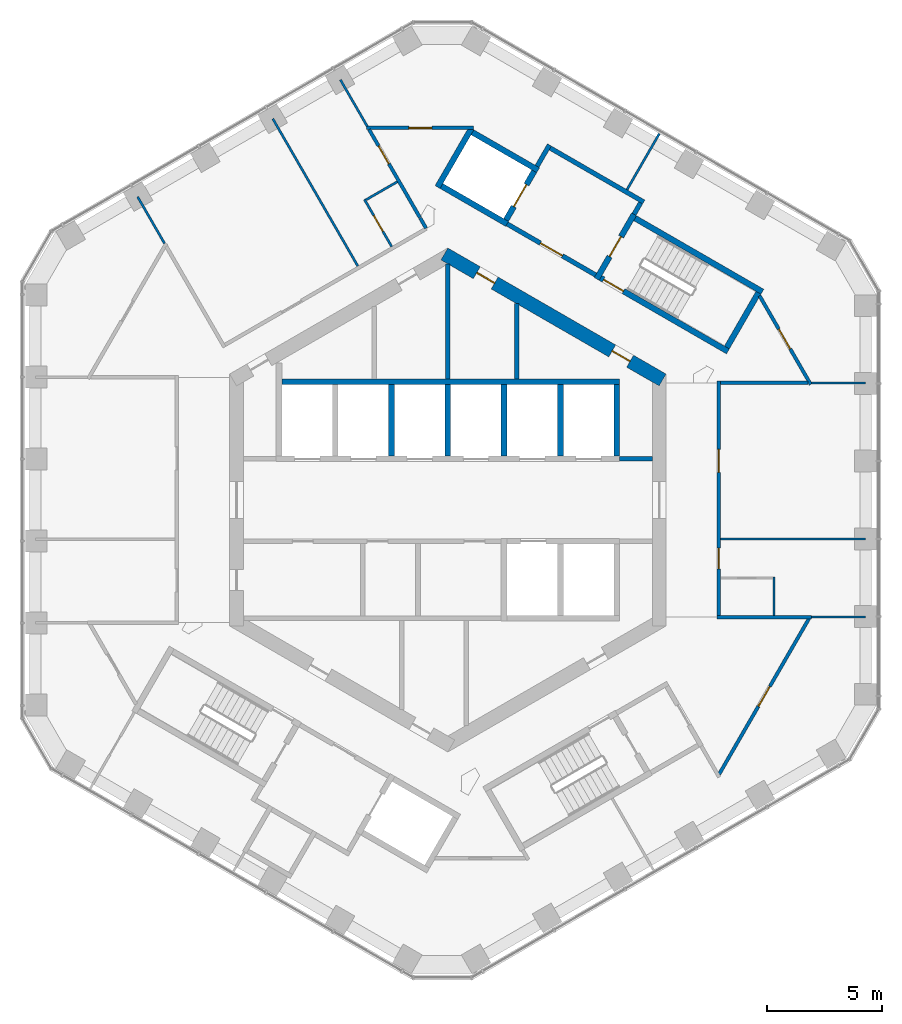
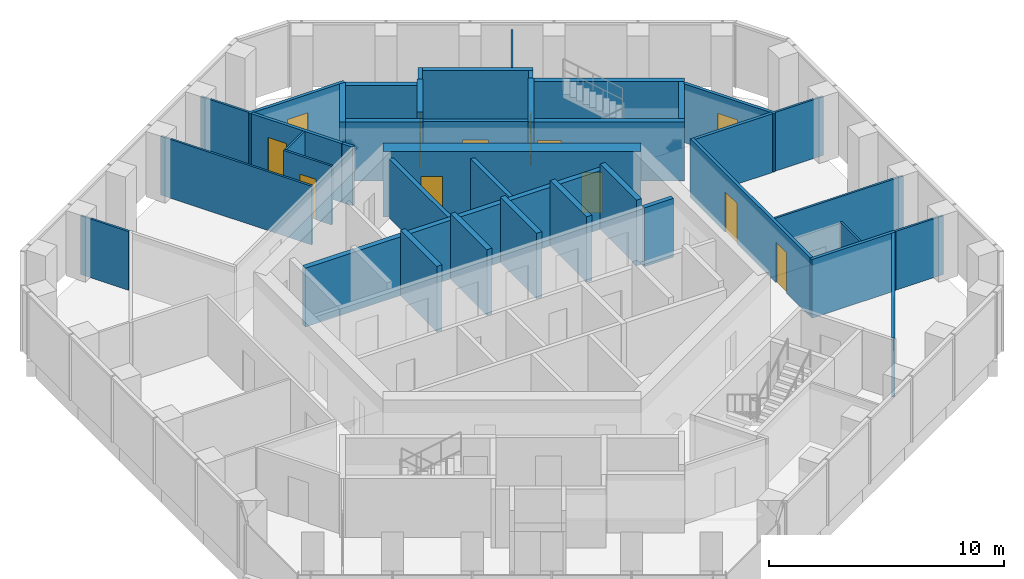
# One storey, part 16 of 18: 40 walls, 13 doors, 13 openings.
"""IFC4 building model written with IfcOpenShell, lengths in metres."""

from ifc_helpers import new_model, si_unit, direction, frame, frame_2d, origin, place, context, subcontext, project, spatial, rectangle, extrude, material, layer, layer_set, type_object, element, fill, save


model = new_model("IFC4")

# Units and contexts
model_context = context("Model", 3, precision=1e-05, world=origin(), true_north=direction((0.0, 1.0)))
body_context = subcontext(model_context, "Body", "Model", "MODEL_VIEW")
ifc_project = project(units=[si_unit("LENGTHUNIT", "METRE"), si_unit("AREAUNIT", "SQUARE_METRE"), si_unit("VOLUMEUNIT", "CUBIC_METRE"), si_unit("PLANEANGLEUNIT", "RADIAN"), si_unit("MASSUNIT", "GRAM", prefix="KILO")], contexts=[model_context])

# Site, building, storey
site_placement = place(None, origin())
site = spatial("IfcSite", under=ifc_project, at=site_placement, CompositionType="ELEMENT")
building_placement = place(site_placement, origin())
building = spatial("IfcBuilding", under=site, at=building_placement, Name="Ayvan Gate Tower", CompositionType="ELEMENT")
storey_placement = place(building_placement, frame((0.0, 0.0, 166.300048828125)))
storey = spatial("IfcBuildingStorey", under=building, at=storey_placement, Name="L44", CompositionType="ELEMENT", Elevation=166.300048828125)

# Wall, openings, doors
ifc_material_1 = material(Name="Concrete C60/75", Category="concrete")
ifc_layer_1 = layer(ifc_material_1, 0.60009765625)
ifc_layer_set_1 = layer_set([ifc_layer_1], Name="Concrete C60/75")
wall_type_1 = type_object("IfcWallType", Name="Core wall 600 C60/75", PredefinedType="SHEAR", material=ifc_layer_set_1)
wall_1_placement = place(storey_placement, frame((9.35009765625, 5.22509765625, 0.0), z_axis=(0.0, 0.0, 1.0), x_axis=(-0.866023993627, 0.500002442456, 0.0)))
wall_1 = element("IfcWall", 1, at=wall_1_placement, inside=storey, type_object=wall_type_1, Name="CORE-L44-1", PredefinedType="SHEAR", context=body_context, shape_type="SweptSolid", body=[
    extrude(rectangle(XDim=10.9697265625, YDim=0.60009765625, at=frame_2d((5.48486328125, 0.0))), origin(), (0.0, 0.0, 1.0), 3.39990234375),
])
opening_1_placement = place(wall_1_placement, frame((8.44189453125, 0.0, 0.0)))
opening_1 = element("IfcOpeningElement", 2, at=opening_1_placement, cuts=wall_1, Name="Opening L44-D39", PredefinedType="OPENING", context=body_context, shape_type="SweptSolid", body=[
    extrude(rectangle(XDim=0.89990234375, YDim=2.10009765625, at=frame_2d((0.449951171875, 1.050048828125))), frame((0.0, 0.31005859375, 0.0), z_axis=(0.0, -1.0, 0.0), x_axis=(1.0, 0.0, 0.0)), (0.0, 0.0, 1.0), 0.6201171875),
])
opening_2_placement = place(wall_1_placement, frame((1.633544921875, 0.0, 0.0)))
opening_2 = element("IfcOpeningElement", 3, at=opening_2_placement, cuts=wall_1, Name="Opening L44-D40", PredefinedType="OPENING", context=body_context, shape_type="SweptSolid", body=[
    extrude(rectangle(XDim=0.89990234375, YDim=2.10009765625, at=frame_2d((0.449951171875, 1.050048828125))), frame((0.0, 0.31005859375, 0.0), z_axis=(0.0, -1.0, 0.0), x_axis=(1.0, 0.0, 0.0)), (0.0, 0.0, 1.0), 0.6201171875),
])
ifc_material_2 = material(Name="Timber door leaf", Category="wood")
door_type_1 = type_object("IfcDoorType", Name="DT-900", OperationType="NOTDEFINED", PredefinedType="DOOR", material=ifc_material_2)
door_1_placement = place(opening_1_placement, origin())
door_1 = element("IfcDoor", 4, at=door_1_placement, inside=storey, type_object=door_type_1, Name="CD-L44-39", OperationType="SINGLE_SWING_LEFT", OverallHeight=2.10009765625, OverallWidth=0.89990234375, PredefinedType="DOOR", context=body_context, shape_type="SweptSolid", body=[
    extrude(rectangle(XDim=0.89990234375, YDim=2.10009765625, at=frame_2d((0.449951171875, 1.050048828125))), frame((0.0, 0.02490234375, 0.0), z_axis=(0.0, -1.0, 0.0), x_axis=(1.0, 0.0, 0.0)), (0.0, 0.0, 1.0), 0.050048828125),
])
fill(opening_1, door_1)
door_2_placement = place(opening_2_placement, origin())
door_2 = element("IfcDoor", 5, at=door_2_placement, inside=storey, type_object=door_type_1, Name="CD-L44-40", OperationType="SINGLE_SWING_RIGHT", OverallHeight=2.10009765625, OverallWidth=0.89990234375, PredefinedType="DOOR", context=body_context, shape_type="SweptSolid", body=[
    extrude(rectangle(XDim=0.89990234375, YDim=2.10009765625, at=frame_2d((0.449951171875, 1.050048828125))), frame((0.0, 0.02490234375, 0.0), z_axis=(0.0, -1.0, 0.0), x_axis=(1.0, 0.0, 0.0)), (0.0, 0.0, 1.0), 0.050048828125),
])
fill(opening_2, door_2)

# Wall, opening, door
ifc_material_3 = material(Name="Plasterboard on steel stud", Category="steel")
ifc_layer_2 = layer(ifc_material_3, 0.14990234375)
ifc_layer_set_2 = layer_set([ifc_layer_2], Name="Plasterboard on steel stud")
wall_type_2 = type_object("IfcWallType", Name="WT-CORR-150", PredefinedType="PARTITIONING", material=ifc_layer_set_2)
wall_2_placement = place(storey_placement, frame((-3.542724609375, 16.19873046875, 0.0), z_axis=(0.0, 0.0, 1.0), x_axis=(1.0, 0.0, 0.0)))
wall_2 = element("IfcWall", 6, at=wall_2_placement, inside=storey, type_object=wall_type_2, Name="IW-L44-037", PredefinedType="PARTITIONING", context=body_context, shape_type="SweptSolid", body=[
    extrude(rectangle(XDim=4.65625, YDim=0.14990234375, at=frame_2d((2.328125, 0.0))), origin(), (0.0, 0.0, 1.0), 3.050048828125),
])
opening_3_placement = place(wall_2_placement, frame((1.845458984375, 0.0, 0.0)))
opening_3 = element("IfcOpeningElement", 7, at=opening_3_placement, cuts=wall_2, Name="Opening L44-D26", PredefinedType="OPENING", context=body_context, shape_type="SweptSolid", body=[
    extrude(rectangle(XDim=1.0, YDim=2.10009765625, at=frame_2d((0.5, 1.050048828125))), frame((0.0, 0.0849609375, 0.0), z_axis=(0.0, -1.0, 0.0), x_axis=(1.0, 0.0, 0.0)), (0.0, 0.0, 1.0), 0.169921875),
])
door_type_2 = type_object("IfcDoorType", Name="DT-1000", OperationType="NOTDEFINED", PredefinedType="DOOR", material=ifc_material_2)
door_3_placement = place(opening_3_placement, origin())
door_3 = element("IfcDoor", 8, at=door_3_placement, inside=storey, type_object=door_type_2, Name="ID-L44-026", OperationType="SINGLE_SWING_RIGHT", OverallHeight=2.10009765625, OverallWidth=1.0, PredefinedType="DOOR", context=body_context, shape_type="SweptSolid", body=[
    extrude(rectangle(XDim=1.0, YDim=2.10009765625, at=frame_2d((0.5, 1.050048828125))), frame((0.0, 0.02490234375, 0.0), z_axis=(0.0, -1.0, 0.0), x_axis=(1.0, 0.0, 0.0)), (0.0, 0.0, 1.0), 0.050048828125),
])
fill(opening_3, door_3)

wall_3_placement = place(storey_placement, frame((-3.43017578125, 16.1337890625, 0.0), z_axis=(0.0, 0.0, 1.0), x_axis=(0.50000861454, -0.86602043012, 0.0)))
wall_3 = element("IfcWall", 9, at=wall_3_placement, inside=storey, type_object=wall_type_2, Name="IW-L44-043", PredefinedType="PARTITIONING", context=body_context, shape_type="SweptSolid", body=[
    extrude(rectangle(XDim=4.43115234375, YDim=0.14990234375, at=frame_2d((2.215576171875, 0.0))), origin(), (0.0, 0.0, 1.0), 3.050048828125),
])
opening_4_placement = place(wall_3_placement, frame((0.82861328125, 0.0, 0.0)))
opening_4 = element("IfcOpeningElement", 10, at=opening_4_placement, cuts=wall_3, Name="Opening L44-D34", PredefinedType="OPENING", context=body_context, shape_type="SweptSolid", body=[
    extrude(rectangle(XDim=0.89990234375, YDim=2.10009765625, at=frame_2d((0.449951171875, 1.050048828125))), frame((0.0, 0.0849609375, 0.0), z_axis=(0.0, -1.0, 0.0), x_axis=(1.0, 0.0, 0.0)), (0.0, 0.0, 1.0), 0.169921875),
])
door_4_placement = place(opening_4_placement, origin())
door_4 = element("IfcDoor", 11, at=door_4_placement, inside=storey, type_object=door_type_1, Name="ID-L44-034", OperationType="SINGLE_SWING_RIGHT", OverallHeight=2.10009765625, OverallWidth=0.89990234375, PredefinedType="DOOR", context=body_context, shape_type="SweptSolid", body=[
    extrude(rectangle(XDim=0.89990234375, YDim=2.10009765625, at=frame_2d((0.449951171875, 1.050048828125))), frame((0.0, 0.02490234375, 0.0), z_axis=(0.0, -1.0, 0.0), x_axis=(1.0, 0.0, 0.0)), (0.0, 0.0, 1.0), 0.050048828125),
])
fill(opening_4, door_4)

# Walls
wall_4_placement = place(storey_placement, frame((-1.20458984375, 12.279052734375, 0.0), z_axis=(0.0, 0.0, 1.0), x_axis=(0.499749740264, -0.866169843106, 0.0)))
element("IfcWall", 12, at=wall_4_placement, inside=storey, type_object=wall_type_2, Name="IW-L44-046", PredefinedType="PARTITIONING", context=body_context, shape_type="SweptSolid", body=[
    extrude(rectangle(XDim=0.516357421875, YDim=0.14990234375, at=frame_2d((0.25830078125, 0.0))), origin(), (0.0, 0.0, 1.0), 3.050048828125),
])
wall_5_placement = place(storey_placement, frame((11.724853515625, -5.09619140625, 0.0), z_axis=(0.0, 0.0, 1.0), x_axis=(1.0, 0.0, 0.0)))
element("IfcWall", 13, at=wall_5_placement, inside=storey, type_object=wall_type_2, Name="IW-L44-086", PredefinedType="PARTITIONING", context=body_context, shape_type="SweptSolid", body=[
    extrude(rectangle(XDim=4.112548828125, YDim=0.14990234375, at=frame_2d((2.05615234375, 0.0))), origin(), (0.0, 0.0, 1.0), 3.050048828125),
])

# Wall, openings, doors
wall_6_placement = place(storey_placement, frame((11.800048828125, -5.021240234375, 0.0), z_axis=(0.0, 0.0, 1.0), x_axis=(0.0, 1.0, 0.0)))
wall_6 = element("IfcWall", 14, at=wall_6_placement, inside=storey, type_object=wall_type_2, Name="IW-L44-087", PredefinedType="PARTITIONING", context=body_context, shape_type="SweptSolid", body=[
    extrude(rectangle(XDim=10.192626953125, YDim=0.14990234375, at=frame_2d((5.09619140625, 0.0))), origin(), (0.0, 0.0, 1.0), 3.050048828125),
])
opening_5_placement = place(wall_6_placement, frame((2.0224609375, 0.0, 0.0)))
opening_5 = element("IfcOpeningElement", 15, at=opening_5_placement, cuts=wall_6, Name="Opening L44-D22", PredefinedType="OPENING", context=body_context, shape_type="SweptSolid", body=[
    extrude(rectangle(XDim=0.89990234375, YDim=2.10009765625, at=frame_2d((0.449951171875, 1.050048828125))), frame((0.0, 0.0849609375, 0.0), z_axis=(0.0, -1.0, 0.0), x_axis=(1.0, 0.0, 0.0)), (0.0, 0.0, 1.0), 0.169921875),
])
opening_6_placement = place(wall_6_placement, frame((6.22021484375, 0.0, 0.0)))
opening_6 = element("IfcOpeningElement", 16, at=opening_6_placement, cuts=wall_6, Name="Opening L44-D24", PredefinedType="OPENING", context=body_context, shape_type="SweptSolid", body=[
    extrude(rectangle(XDim=1.0, YDim=2.10009765625, at=frame_2d((0.5, 1.050048828125))), frame((0.0, 0.0849609375, 0.0), z_axis=(0.0, -1.0, 0.0), x_axis=(1.0, 0.0, 0.0)), (0.0, 0.0, 1.0), 0.169921875),
])
door_5_placement = place(opening_6_placement, origin())
door_5 = element("IfcDoor", 17, at=door_5_placement, inside=storey, type_object=door_type_2, Name="ID-L44-024", OperationType="SINGLE_SWING_RIGHT", OverallHeight=2.10009765625, OverallWidth=1.0, PredefinedType="DOOR", context=body_context, shape_type="SweptSolid", body=[
    extrude(rectangle(XDim=1.0, YDim=2.10009765625, at=frame_2d((0.5, 1.050048828125))), frame((0.0, 0.02490234375, 0.0), z_axis=(0.0, -1.0, 0.0), x_axis=(1.0, 0.0, 0.0)), (0.0, 0.0, 1.0), 0.050048828125),
])
fill(opening_6, door_5)
door_6_placement = place(opening_5_placement, origin())
door_6 = element("IfcDoor", 18, at=door_6_placement, inside=storey, type_object=door_type_1, Name="ID-L44-022", OperationType="SINGLE_SWING_RIGHT", OverallHeight=2.10009765625, OverallWidth=0.89990234375, PredefinedType="DOOR", context=body_context, shape_type="SweptSolid", body=[
    extrude(rectangle(XDim=0.89990234375, YDim=2.10009765625, at=frame_2d((0.449951171875, 1.050048828125))), frame((0.0, 0.02490234375, 0.0), z_axis=(0.0, -1.0, 0.0), x_axis=(1.0, 0.0, 0.0)), (0.0, 0.0, 1.0), 0.050048828125),
])
fill(opening_5, door_6)

# Wall, opening, door
wall_7_placement = place(storey_placement, frame((13.57177734375, 8.890625, 0.0), z_axis=(0.0, 0.0, 1.0), x_axis=(0.500010146358, -0.866019545703, 0.0)))
wall_7 = element("IfcWall", 19, at=wall_7_placement, inside=storey, type_object=wall_type_2, Name="IW-L44-090", PredefinedType="PARTITIONING", context=body_context, shape_type="SweptSolid", body=[
    extrude(rectangle(XDim=4.45654296875, YDim=0.14990234375, at=frame_2d((2.228271484375, 0.0))), origin(), (0.0, 0.0, 1.0), 3.050048828125),
])
opening_7_placement = place(wall_7_placement, frame((1.67333984375, 0.0, 0.0)))
opening_7 = element("IfcOpeningElement", 20, at=opening_7_placement, cuts=wall_7, Name="Opening L44-D25", PredefinedType="OPENING", context=body_context, shape_type="SweptSolid", body=[
    extrude(rectangle(XDim=1.0, YDim=2.10009765625, at=frame_2d((0.5, 1.050048828125))), frame((0.0, 0.0849609375, 0.0), z_axis=(0.0, -1.0, 0.0), x_axis=(1.0, 0.0, 0.0)), (0.0, 0.0, 1.0), 0.169921875),
])
door_7_placement = place(opening_7_placement, origin())
door_7 = element("IfcDoor", 21, at=door_7_placement, inside=storey, type_object=door_type_2, Name="ID-L44-025", OperationType="SINGLE_SWING_LEFT", OverallHeight=2.10009765625, OverallWidth=1.0, PredefinedType="DOOR", context=body_context, shape_type="SweptSolid", body=[
    extrude(rectangle(XDim=1.0, YDim=2.10009765625, at=frame_2d((0.5, 1.050048828125))), frame((0.0, 0.02490234375, 0.0), z_axis=(0.0, -1.0, 0.0), x_axis=(1.0, 0.0, 0.0)), (0.0, 0.0, 1.0), 0.050048828125),
])
fill(opening_7, door_7)

# Wall
wall_8_placement = place(storey_placement, frame((15.6875, 5.09619140625, 0.0), z_axis=(0.0, 0.0, 1.0), x_axis=(-1.0, 0.0, 0.0)))
element("IfcWall", 22, at=wall_8_placement, inside=storey, type_object=wall_type_2, Name="IW-L44-095", PredefinedType="PARTITIONING", context=body_context, shape_type="SweptSolid", body=[
    extrude(rectangle(XDim=3.8125, YDim=0.14990234375, at=frame_2d((1.90625, 0.0))), origin(), (0.0, 0.0, 1.0), 3.050048828125),
])

# Wall, opening, door
wall_9_placement = place(storey_placement, frame((15.72509765625, -5.161376953125, 0.0), z_axis=(0.0, 0.0, 1.0), x_axis=(-0.500030520673, -0.866007781949, 0.0)))
wall_9 = element("IfcWall", 23, at=wall_9_placement, inside=storey, type_object=wall_type_2, Name="IW-L44-096", PredefinedType="PARTITIONING", context=body_context, shape_type="SweptSolid", body=[
    extrude(rectangle(XDim=7.8203125, YDim=0.14990234375, at=frame_2d((3.91015625, 0.0))), origin(), (0.0, 0.0, 1.0), 3.050048828125),
])
opening_8_placement = place(wall_9_placement, frame((3.41015625, 0.0, 0.0)))
opening_8 = element("IfcOpeningElement", 24, at=opening_8_placement, cuts=wall_9, Name="Opening L44-D33", PredefinedType="OPENING", context=body_context, shape_type="SweptSolid", body=[
    extrude(rectangle(XDim=1.0, YDim=2.10009765625, at=frame_2d((0.5, 1.050048828125))), frame((0.0, 0.0849609375, 0.0), z_axis=(0.0, -1.0, 0.0), x_axis=(1.0, 0.0, 0.0)), (0.0, 0.0, 1.0), 0.169921875),
])
door_8_placement = place(opening_8_placement, origin())
door_8 = element("IfcDoor", 25, at=door_8_placement, inside=storey, type_object=door_type_2, Name="ID-L44-033", OperationType="SINGLE_SWING_LEFT", OverallHeight=2.10009765625, OverallWidth=1.0, PredefinedType="DOOR", context=body_context, shape_type="SweptSolid", body=[
    extrude(rectangle(XDim=1.0, YDim=2.10009765625, at=frame_2d((0.5, 1.050048828125))), frame((0.0, 0.02490234375, 0.0), z_axis=(0.0, -1.0, 0.0), x_axis=(1.0, 0.0, 0.0)), (0.0, 0.0, 1.0), 0.050048828125),
])
fill(opening_8, door_8)

# Walls
ifc_layer_3 = layer(ifc_material_3, 0.10009765625)
ifc_layer_set_3 = layer_set([ifc_layer_3], Name="Plasterboard on steel stud")
wall_type_3 = type_object("IfcWallType", Name="WT-PART-100", PredefinedType="PARTITIONING", material=ifc_layer_set_3)
wall_10_placement = place(storey_placement, frame((-13.5068359375, 13.201904296875, 0.0), z_axis=(0.0, 0.0, 1.0), x_axis=(0.499995339376, -0.86602809458, 0.0)))
element("IfcWall", 26, at=wall_10_placement, inside=storey, type_object=wall_type_3, Name="IW-L44-007", PredefinedType="PARTITIONING", context=body_context, shape_type="SweptSolid", body=[
    extrude(rectangle(XDim=2.34912109375, YDim=0.10009765625, at=frame_2d((1.174560546875, 0.0))), origin(), (0.0, 0.0, 1.0), 3.050048828125),
])
wall_11_placement = place(storey_placement, frame((-3.916259765625, 10.180908203125, 0.0), z_axis=(0.0, 0.0, 1.0), x_axis=(-0.500011399757, 0.866018822032, 0.0)))
element("IfcWall", 27, at=wall_11_placement, inside=storey, type_object=wall_type_3, Name="IW-L44-031", PredefinedType="PARTITIONING", context=body_context, shape_type="SweptSolid", body=[
    extrude(rectangle(XDim=7.411376953125, YDim=0.10009765625, at=frame_2d((3.70556640625, 0.0))), origin(), (0.0, 0.0, 1.0), 3.050048828125),
])

# Wall, opening, door
wall_12_placement = place(storey_placement, frame((-3.631591796875, 13.087646484375, 0.0), z_axis=(0.0, 0.0, 1.0), x_axis=(0.499986429846, -0.866033238375, 0.0)))
wall_12 = element("IfcWall", 28, at=wall_12_placement, inside=storey, type_object=wall_type_3, Name="IW-L44-035", PredefinedType="PARTITIONING", context=body_context, shape_type="SweptSolid", body=[
    extrude(rectangle(XDim=2.375, YDim=0.10009765625, at=frame_2d((1.1875, 0.0))), origin(), (0.0, 0.0, 1.0), 3.050048828125),
])
opening_9_placement = place(wall_12_placement, frame((0.8125, 0.0, 0.0)))
opening_9 = element("IfcOpeningElement", 29, at=opening_9_placement, cuts=wall_12, Name="Opening L44-D35", PredefinedType="OPENING", context=body_context, shape_type="SweptSolid", body=[
    extrude(rectangle(XDim=0.800048828125, YDim=2.10009765625, at=frame_2d((0.39990234375, 1.050048828125))), frame((0.0, 0.06005859375, 0.0), z_axis=(0.0, -1.0, 0.0), x_axis=(1.0, 0.0, 0.0)), (0.0, 0.0, 1.0), 0.1201171875),
])
door_type_3 = type_object("IfcDoorType", Name="DT-800", OperationType="NOTDEFINED", PredefinedType="DOOR", material=ifc_material_2)
door_9_placement = place(opening_9_placement, origin())
door_9 = element("IfcDoor", 30, at=door_9_placement, inside=storey, type_object=door_type_3, Name="ID-L44-035", OperationType="SINGLE_SWING_LEFT", OverallHeight=2.10009765625, OverallWidth=0.800048828125, PredefinedType="DOOR", context=body_context, shape_type="SweptSolid", body=[
    extrude(rectangle(XDim=0.800048828125, YDim=2.10009765625, at=frame_2d((0.39990234375, 1.050048828125))), frame((0.0, 0.02490234375, 0.0), z_axis=(0.0, -1.0, 0.0), x_axis=(1.0, 0.0, 0.0)), (0.0, 0.0, 1.0), 0.050048828125),
])
fill(opening_9, door_9)

# Walls
wall_13_placement = place(storey_placement, frame((-3.505126953125, 16.263916015625, 0.0), z_axis=(0.0, 0.0, 1.0), x_axis=(-0.500040344412, 0.866002109674, 0.0)))
element("IfcWall", 31, at=wall_13_placement, inside=storey, type_object=wall_type_3, Name="IW-L44-036", PredefinedType="PARTITIONING", context=body_context, shape_type="SweptSolid", body=[
    extrude(rectangle(XDim=2.348876953125, YDim=0.10009765625, at=frame_2d((1.17431640625, 0.0))), origin(), (0.0, 0.0, 1.0), 3.050048828125),
])
wall_14_placement = place(storey_placement, frame((-2.201416015625, 13.855712890625, 0.0), z_axis=(0.0, 0.0, 1.0), x_axis=(-0.865989086347, -0.500062898373, 0.0)))
element("IfcWall", 32, at=wall_14_placement, inside=storey, type_object=wall_type_3, Name="IW-L44-042", PredefinedType="PARTITIONING", context=body_context, shape_type="SweptSolid", body=[
    extrude(rectangle(XDim=1.572509765625, YDim=0.10009765625, at=frame_2d((0.7861328125, 0.0))), origin(), (0.0, 0.0, 1.0), 3.050048828125),
])
wall_15_placement = place(storey_placement, frame((7.800048828125, 13.510009765625, 0.0), z_axis=(0.0, 0.0, 1.0), x_axis=(0.500012199891, 0.86601836006, 0.0)))
element("IfcWall", 33, at=wall_15_placement, inside=storey, type_object=wall_type_3, Name="IW-L44-079", PredefinedType="PARTITIONING", context=body_context, shape_type="SweptSolid", body=[
    extrude(rectangle(XDim=2.8203125, YDim=0.10009765625, at=frame_2d((1.41015625, 0.0))), origin(), (0.0, 0.0, 1.0), 3.050048828125),
])
wall_16_placement = place(storey_placement, frame((11.875, -1.69873046875, 0.0), z_axis=(0.0, 0.0, 1.0), x_axis=(1.0, 0.0, 0.0)))
element("IfcWall", 34, at=wall_16_placement, inside=storey, type_object=wall_type_3, Name="IW-L44-088", PredefinedType="PARTITIONING", context=body_context, shape_type="SweptSolid", body=[
    extrude(rectangle(XDim=6.3115234375, YDim=0.10009765625, at=frame_2d((3.15576171875, 0.0))), origin(), (0.0, 0.0, 1.0), 3.050048828125),
])
wall_17_placement = place(storey_placement, frame((14.199951171875, -5.021240234375, 0.0), z_axis=(0.0, 0.0, 1.0), x_axis=(0.0, 1.0, 0.0)))
element("IfcWall", 35, at=wall_17_placement, inside=storey, type_object=wall_type_3, Name="IW-L44-092", PredefinedType="PARTITIONING", context=body_context, shape_type="SweptSolid", body=[
    extrude(rectangle(XDim=1.67236328125, YDim=0.10009765625, at=frame_2d((0.836181640625, 0.0))), origin(), (0.0, 0.0, 1.0), 3.050048828125),
])
for number, where, z_axis, x_axis, name in (
    (36, (15.83740234375, 5.09619140625, 0.0), (0.0, 0.0, 1.0), (1.0, 0.0, 0.0), "IW-L44-094"),
    (37, (18.1865234375, -5.09619140625, 0.0), (0.0, 0.0, 1.0), (-1.0, 0.0, 0.0), "IW-L44-097"),
):
    element("IfcWall", number, at=place(storey_placement, frame(where, z_axis=z_axis, x_axis=x_axis)), inside=storey, type_object=wall_type_3, Name=name, PredefinedType="PARTITIONING", context=body_context, shape_type="SweptSolid", body=[
        extrude(rectangle(XDim=2.34912109375, YDim=0.10009765625, at=frame_2d((1.174560546875, 0.0))), origin(), (0.0, 0.0, 1.0), 3.050048828125),
    ])
ifc_layer_4 = layer(ifc_material_3, 0.199951171875)
ifc_layer_set_4 = layer_set([ifc_layer_4], Name="Plasterboard on steel stud")
wall_type_4 = type_object("IfcWallType", Name="WT-RATED-200", PredefinedType="PARTITIONING", material=ifc_layer_set_4)
wall_18_placement = place(storey_placement, frame((0.0, 10.27685546875, 0.0), z_axis=(0.0, 0.0, 1.0), x_axis=(0.0, -1.0, 0.0)))
element("IfcWall", 38, at=wall_18_placement, inside=storey, type_object=wall_type_4, Name="IW-L44-051", PredefinedType="PARTITIONING", context=body_context, shape_type="SweptSolid", body=[
    extrude(rectangle(XDim=5.001953125, YDim=0.199951171875, at=frame_2d((2.5009765625, 0.0))), origin(), (0.0, 0.0, 1.0), 3.050048828125),
])
wall_19_placement = place(storey_placement, frame((3.0, 8.544921875, 0.0), z_axis=(0.0, 0.0, 1.0), x_axis=(0.0, -1.0, 0.0)))
element("IfcWall", 39, at=wall_19_placement, inside=storey, type_object=wall_type_4, Name="IW-L44-060", PredefinedType="PARTITIONING", context=body_context, shape_type="SweptSolid", body=[
    extrude(rectangle(XDim=3.27001953125, YDim=0.199951171875, at=frame_2d((1.635009765625, 0.0))), origin(), (0.0, 0.0, 1.0), 3.050048828125),
])
wall_20_placement = place(storey_placement, frame((3.885009765625, 14.52880859375, 0.0), z_axis=(0.0, 0.0, 1.0), x_axis=(0.499997628298, 0.866026773083, 0.0)))
element("IfcWall", 40, at=wall_20_placement, inside=storey, type_object=wall_type_4, Name="IW-L44-064", PredefinedType="PARTITIONING", context=body_context, shape_type="SweptSolid", body=[
    extrude(rectangle(XDim=1.0751953125, YDim=0.199951171875, at=frame_2d((0.53759765625, 0.0))), origin(), (0.0, 0.0, 1.0), 3.050048828125),
])
wall_21_placement = place(storey_placement, frame((4.458984375, 15.323486328125, 0.0), z_axis=(0.0, 0.0, 1.0), x_axis=(0.866016039709, -0.500016218704, 0.0)))
element("IfcWall", 41, at=wall_21_placement, inside=storey, type_object=wall_type_4, Name="IW-L44-065", PredefinedType="PARTITIONING", context=body_context, shape_type="SweptSolid", body=[
    extrude(rectangle(XDim=4.699951171875, YDim=0.199951171875, at=frame_2d((2.35009765625, 0.0))), origin(), (0.0, 0.0, 1.0), 3.050048828125),
])

# Wall, opening, door
wall_22_placement = place(storey_placement, frame((6.4345703125, 9.794921875, 0.0), z_axis=(0.0, 0.0, 1.0), x_axis=(-0.866012907634, 0.500021643343, 0.0)))
wall_22 = element("IfcWall", 42, at=wall_22_placement, inside=storey, type_object=wall_type_4, Name="IW-L44-070", PredefinedType="PARTITIONING", context=body_context, shape_type="SweptSolid", body=[
    extrude(rectangle(XDim=4.449951171875, YDim=0.199951171875, at=frame_2d((2.22509765625, 0.0))), origin(), (0.0, 0.0, 1.0), 3.050048828125),
])
opening_10_placement = place(wall_22_placement, frame((1.675048828125, 0.0, 0.0)))
opening_10 = element("IfcOpeningElement", 43, at=opening_10_placement, cuts=wall_22, Name="Opening L44-D13", PredefinedType="OPENING", context=body_context, shape_type="SweptSolid", body=[
    extrude(rectangle(XDim=1.10009765625, YDim=2.10009765625, at=frame_2d((0.550048828125, 1.050048828125))), frame((0.0, 0.10986328125, 0.0), z_axis=(0.0, -1.0, 0.0), x_axis=(1.0, 0.0, 0.0)), (0.0, 0.0, 1.0), 0.219970703125),
])
door_type_4 = type_object("IfcDoorType", Name="DT-1100", OperationType="NOTDEFINED", PredefinedType="DOOR", material=ifc_material_2)
door_10_placement = place(opening_10_placement, origin())
door_10 = element("IfcDoor", 44, at=door_10_placement, inside=storey, type_object=door_type_4, Name="ID-L44-013", OperationType="SINGLE_SWING_LEFT", OverallHeight=2.10009765625, OverallWidth=1.10009765625, PredefinedType="DOOR", context=body_context, shape_type="SweptSolid", body=[
    extrude(rectangle(XDim=1.10009765625, YDim=2.10009765625, at=frame_2d((0.550048828125, 1.050048828125))), frame((0.0, 0.02490234375, 0.0), z_axis=(0.0, -1.0, 0.0), x_axis=(1.0, 0.0, 0.0)), (0.0, 0.0, 1.0), 0.050048828125),
])
fill(opening_10, door_10)

# Walls
wall_23_placement = place(storey_placement, frame((7.474853515625, 1.800048828125, 0.0), z_axis=(0.0, 0.0, 1.0), x_axis=(1.0, 0.0, 0.0)))
element("IfcWall", 45, at=wall_23_placement, inside=storey, type_object=wall_type_4, Name="IW-L44-076", PredefinedType="PARTITIONING", context=body_context, shape_type="SweptSolid", body=[
    extrude(rectangle(XDim=1.425048828125, YDim=0.199951171875, at=frame_2d((0.71240234375, 0.0))), origin(), (0.0, 0.0, 1.0), 3.050048828125),
])
wall_24_placement = place(storey_placement, frame((8.392822265625, 12.936767578125, 0.0), z_axis=(0.0, 0.0, 1.0), x_axis=(-0.500065409566, -0.86598763626, 0.0)))
element("IfcWall", 46, at=wall_24_placement, inside=storey, type_object=wall_type_4, Name="IW-L44-081", PredefinedType="PARTITIONING", context=body_context, shape_type="SweptSolid", body=[
    extrude(rectangle(XDim=0.5751953125, YDim=0.199951171875, at=frame_2d((0.28759765625, 0.0))), origin(), (0.0, 0.0, 1.0), 3.050048828125),
])
ifc_material_4 = material(Name="Concrete C50/60", Category="concrete")
ifc_layer_5 = layer(ifc_material_4, 0.25)
ifc_layer_set_5 = layer_set([ifc_layer_5], Name="Concrete C50/60")
wall_type_5 = type_object("IfcWallType", Name="WT-RC-250", PredefinedType="SHEAR", material=ifc_layer_set_5)
wall_25_placement = place(storey_placement, frame((-7.22509765625, 5.14990234375, 0.0), z_axis=(0.0, 0.0, 1.0), x_axis=(1.0, 0.0, 0.0)))
element("IfcWall", 47, at=wall_25_placement, inside=storey, type_object=wall_type_5, Name="IW-L44-023", PredefinedType="SHEAR", context=body_context, shape_type="SweptSolid", body=[
    extrude(rectangle(XDim=14.7001953125, YDim=0.25, at=frame_2d((7.35009765625, 0.0))), origin(), (0.0, 0.0, 1.0), 3.050048828125),
])
wall_26_placement = place(storey_placement, frame((-2.449951171875, 5.02490234375, 0.0), z_axis=(0.0, 0.0, 1.0), x_axis=(0.0, -1.0, 0.0)))
element("IfcWall", 48, at=wall_26_placement, inside=storey, type_object=wall_type_5, Name="IW-L44-041", PredefinedType="SHEAR", context=body_context, shape_type="SweptSolid", body=[
    extrude(rectangle(XDim=3.099853515625, YDim=0.25, at=frame_2d((1.5498046875, 0.0))), origin(), (0.0, 0.0, 1.0), 3.39990234375),
])
wall_27_placement = place(storey_placement, frame((-0.447998046875, 13.624267578125, 0.0), z_axis=(0.0, 0.0, 1.0), x_axis=(0.500037662692, 0.866003658127, 0.0)))
element("IfcWall", 49, at=wall_27_placement, inside=storey, type_object=wall_type_5, Name="IW-L44-049", PredefinedType="SHEAR", context=body_context, shape_type="SweptSolid", body=[
    extrude(rectangle(XDim=2.949951171875, YDim=0.25, at=frame_2d((1.47509765625, 0.0))), origin(), (0.0, 0.0, 1.0), 3.050048828125),
])
wall_28_placement = place(storey_placement, frame((0.0, 5.02490234375, 0.0), z_axis=(0.0, 0.0, 1.0), x_axis=(0.0, -1.0, 0.0)))
element("IfcWall", 50, at=wall_28_placement, inside=storey, type_object=wall_type_5, Name="IW-L44-050", PredefinedType="SHEAR", context=body_context, shape_type="SweptSolid", body=[
    extrude(rectangle(XDim=3.099853515625, YDim=0.25, at=frame_2d((1.5498046875, 0.0))), origin(), (0.0, 0.0, 1.0), 3.39990234375),
])
wall_29_placement = place(storey_placement, frame((1.072998046875, 16.00830078125, 0.0), z_axis=(0.0, 0.0, 1.0), x_axis=(0.866040211805, -0.499974350878, 0.0)))
element("IfcWall", 51, at=wall_29_placement, inside=storey, type_object=wall_type_5, Name="IW-L44-053", PredefinedType="SHEAR", context=body_context, shape_type="SweptSolid", body=[
    extrude(rectangle(XDim=3.300048828125, YDim=0.25, at=frame_2d((1.64990234375, 0.0))), origin(), (0.0, 0.0, 1.0), 3.050048828125),
])
wall_30_placement = place(storey_placement, frame((2.449951171875, 5.02490234375, 0.0), z_axis=(0.0, 0.0, 1.0), x_axis=(0.0, -1.0, 0.0)))
element("IfcWall", 52, at=wall_30_placement, inside=storey, type_object=wall_type_5, Name="IW-L44-057", PredefinedType="SHEAR", context=body_context, shape_type="SweptSolid", body=[
    extrude(rectangle(XDim=3.099853515625, YDim=0.25, at=frame_2d((1.5498046875, 0.0))), origin(), (0.0, 0.0, 1.0), 3.39990234375),
])
wall_31_placement = place(storey_placement, frame((2.580810546875, 12.02001953125, 0.0), z_axis=(0.0, 0.0, 1.0), x_axis=(-0.866040211805, 0.499974350878, 0.0)))
element("IfcWall", 53, at=wall_31_placement, inside=storey, type_object=wall_type_5, Name="IW-L44-058", PredefinedType="SHEAR", context=body_context, shape_type="SweptSolid", body=[
    extrude(rectangle(XDim=3.300048828125, YDim=0.25, at=frame_2d((1.64990234375, 0.0))), origin(), (0.0, 0.0, 1.0), 3.050048828125),
])

# Wall, opening, door
wall_32_placement = place(storey_placement, frame((2.534912109375, 12.19091796875, 0.0), z_axis=(0.0, 0.0, 1.0), x_axis=(0.500061746146, 0.865989751695, 0.0)))
wall_32 = element("IfcWall", 54, at=wall_32_placement, inside=storey, type_object=wall_type_5, Name="IW-L44-059", PredefinedType="SHEAR", context=body_context, shape_type="SweptSolid", body=[
    extrude(rectangle(XDim=2.449951171875, YDim=0.25, at=frame_2d((1.22509765625, 0.0))), origin(), (0.0, 0.0, 1.0), 3.39990234375),
])
opening_11_placement = place(wall_32_placement, frame((0.675048828125, 0.0, 0.0)))
opening_11 = element("IfcOpeningElement", 55, at=opening_11_placement, cuts=wall_32, Name="Opening L44-LD-FF1", PredefinedType="OPENING", context=body_context, shape_type="SweptSolid", body=[
    extrude(rectangle(XDim=1.10009765625, YDim=2.10009765625, at=frame_2d((0.550048828125, 1.050048828125))), frame((0.0, 0.135009765625, 0.0), z_axis=(0.0, -1.0, 0.0), x_axis=(1.0, 0.0, 0.0)), (0.0, 0.0, 1.0), 0.27001953125),
])
ifc_material_5 = material(Name="Stainless steel landing door", Category="steel")
door_type_5 = type_object("IfcDoorType", Name="DT-LANDING-1100", OperationType="SLIDING_TO_LEFT", PredefinedType="DOOR", material=ifc_material_5)
door_11_placement = place(opening_11_placement, origin())
door_11 = element("IfcDoor", 56, at=door_11_placement, inside=storey, type_object=door_type_5, Name="ID-L44-014", OperationType="SLIDING_TO_LEFT", OverallHeight=2.10009765625, OverallWidth=1.10009765625, PredefinedType="DOOR", context=body_context, shape_type="SweptSolid", body=[
    extrude(rectangle(XDim=1.10009765625, YDim=2.10009765625, at=frame_2d((0.550048828125, 1.050048828125))), frame((0.0, 0.02490234375, 0.0), z_axis=(0.0, -1.0, 0.0), x_axis=(1.0, 0.0, 0.0)), (0.0, 0.0, 1.0), 0.050048828125),
])
fill(opening_11, door_11)

# Wall
wall_33_placement = place(storey_placement, frame((4.89990234375, 5.02490234375, 0.0), z_axis=(0.0, 0.0, 1.0), x_axis=(0.0, -1.0, 0.0)))
element("IfcWall", 57, at=wall_33_placement, inside=storey, type_object=wall_type_5, Name="IW-L44-068", PredefinedType="SHEAR", context=body_context, shape_type="SweptSolid", body=[
    extrude(rectangle(XDim=3.099853515625, YDim=0.25, at=frame_2d((1.5498046875, 0.0))), origin(), (0.0, 0.0, 1.0), 3.39990234375),
])

# Wall, opening, door
wall_34_placement = place(storey_placement, frame((6.480224609375, 9.624267578125, 0.0), z_axis=(0.0, 0.0, 1.0), x_axis=(0.500017246033, 0.866015446554, 0.0)))
wall_34 = element("IfcWall", 58, at=wall_34_placement, inside=storey, type_object=wall_type_5, Name="IW-L44-071", PredefinedType="SHEAR", context=body_context, shape_type="SweptSolid", body=[
    extrude(rectangle(XDim=3.25, YDim=0.25, at=frame_2d((1.625, 0.0))), origin(), (0.0, 0.0, 1.0), 3.050048828125),
])
opening_12_placement = place(wall_34_placement, frame((1.125, 0.0, 0.0)))
opening_12 = element("IfcOpeningElement", 59, at=opening_12_placement, cuts=wall_34, Name="Opening L44-D12", PredefinedType="OPENING", context=body_context, shape_type="SweptSolid", body=[
    extrude(rectangle(XDim=1.0, YDim=2.10009765625, at=frame_2d((0.5, 1.050048828125))), frame((0.0, 0.135009765625, 0.0), z_axis=(0.0, -1.0, 0.0), x_axis=(1.0, 0.0, 0.0)), (0.0, 0.0, 1.0), 0.27001953125),
])
door_12_placement = place(opening_12_placement, origin())
door_12 = element("IfcDoor", 60, at=door_12_placement, inside=storey, type_object=door_type_2, Name="ID-L44-012", OperationType="SINGLE_SWING_RIGHT", OverallHeight=2.10009765625, OverallWidth=1.0, PredefinedType="DOOR", context=body_context, shape_type="SweptSolid", body=[
    extrude(rectangle(XDim=1.0, YDim=2.10009765625, at=frame_2d((0.5, 1.050048828125))), frame((0.0, 0.02490234375, 0.0), z_axis=(0.0, -1.0, 0.0), x_axis=(1.0, 0.0, 0.0)), (0.0, 0.0, 1.0), 0.050048828125),
])
fill(opening_12, door_12)

# Walls
wall_35_placement = place(storey_placement, frame((7.35009765625, 5.02490234375, 0.0), z_axis=(0.0, 0.0, 1.0), x_axis=(0.0, -1.0, 0.0)))
element("IfcWall", 61, at=wall_35_placement, inside=storey, type_object=wall_type_5, Name="IW-L44-078", PredefinedType="SHEAR", context=body_context, shape_type="SweptSolid", body=[
    extrude(rectangle(XDim=3.099853515625, YDim=0.25, at=frame_2d((1.5498046875, 0.0))), origin(), (0.0, 0.0, 1.0), 3.39990234375),
])
wall_36_placement = place(storey_placement, frame((8.151123046875, 12.26806640625, 0.0), z_axis=(0.0, 0.0, 1.0), x_axis=(0.866025499775, -0.499999833739, 0.0)))
element("IfcWall", 62, at=wall_36_placement, inside=storey, type_object=wall_type_5, Name="IW-L44-080", PredefinedType="SHEAR", context=body_context, shape_type="SweptSolid", body=[
    extrude(rectangle(XDim=6.39990234375, YDim=0.25, at=frame_2d((3.199951171875, 0.0))), origin(), (0.0, 0.0, 1.0), 3.050048828125),
])

# Wall, opening, door
wall_37_placement = place(storey_placement, frame((12.193603515625, 6.469970703125, 0.0), z_axis=(0.0, 0.0, 1.0), x_axis=(-0.866025499775, 0.499999833739, 0.0)))
wall_37 = element("IfcWall", 63, at=wall_37_placement, inside=storey, type_object=wall_type_5, Name="IW-L44-089", PredefinedType="SHEAR", context=body_context, shape_type="SweptSolid", body=[
    extrude(rectangle(XDim=6.39990234375, YDim=0.25, at=frame_2d((3.199951171875, 0.0))), origin(), (0.0, 0.0, 1.0), 3.050048828125),
])
opening_13_placement = place(wall_37_placement, frame((5.25, 0.0, 0.0)))
opening_13 = element("IfcOpeningElement", 64, at=opening_13_placement, cuts=wall_37, Name="Opening L44-D11", PredefinedType="OPENING", context=body_context, shape_type="SweptSolid", body=[
    extrude(rectangle(XDim=1.0, YDim=2.10009765625, at=frame_2d((0.5, 1.050048828125))), frame((0.0, 0.135009765625, 0.0), z_axis=(0.0, -1.0, 0.0), x_axis=(1.0, 0.0, 0.0)), (0.0, 0.0, 1.0), 0.27001953125),
])
door_13_placement = place(opening_13_placement, origin())
door_13 = element("IfcDoor", 65, at=door_13_placement, inside=storey, type_object=door_type_2, Name="ID-L44-011", OperationType="SINGLE_SWING_LEFT", OverallHeight=2.10009765625, OverallWidth=1.0, PredefinedType="DOOR", context=body_context, shape_type="SweptSolid", body=[
    extrude(rectangle(XDim=1.0, YDim=2.10009765625, at=frame_2d((0.5, 1.050048828125))), frame((0.0, 0.02490234375, 0.0), z_axis=(0.0, -1.0, 0.0), x_axis=(1.0, 0.0, 0.0)), (0.0, 0.0, 1.0), 0.050048828125),
])
fill(opening_13, door_13)

# Wall
wall_38_placement = place(storey_placement, frame((12.14794921875, 6.640869140625, 0.0), z_axis=(0.0, 0.0, 1.0), x_axis=(0.500034990121, 0.866005201286, 0.0)))
element("IfcWall", 66, at=wall_38_placement, inside=storey, type_object=wall_type_5, Name="IW-L44-091", PredefinedType="SHEAR", context=body_context, shape_type="SweptSolid", body=[
    extrude(rectangle(XDim=2.749755859375, YDim=0.25, at=frame_2d((1.375, 0.0))), origin(), (0.0, 0.0, 1.0), 3.050048828125),
])

save(model, "model.ifc")
